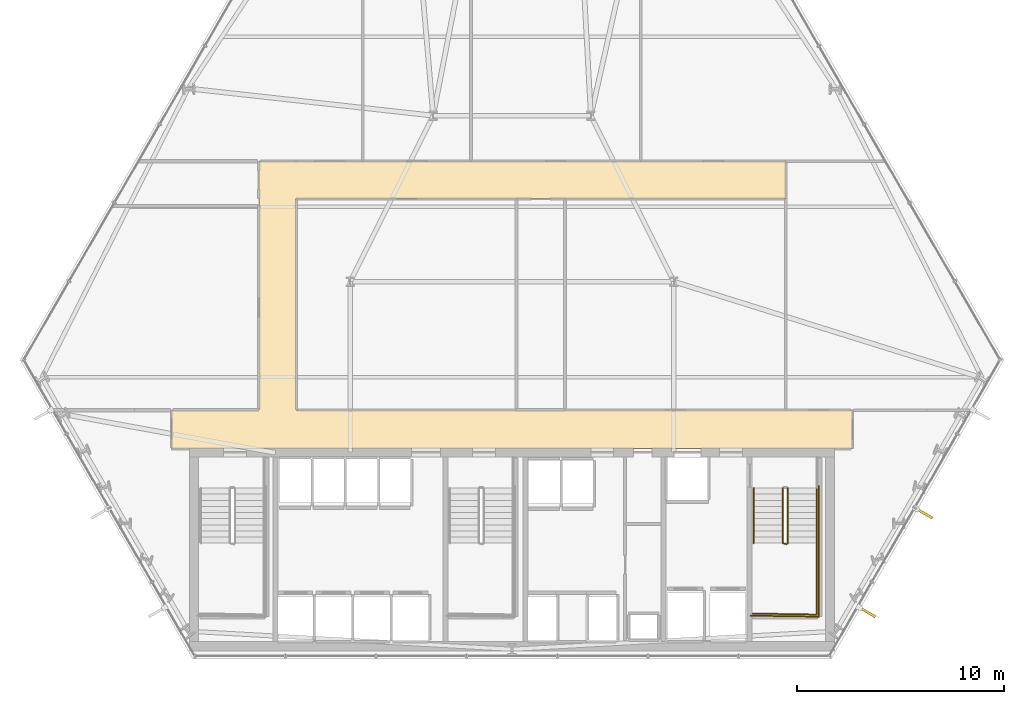
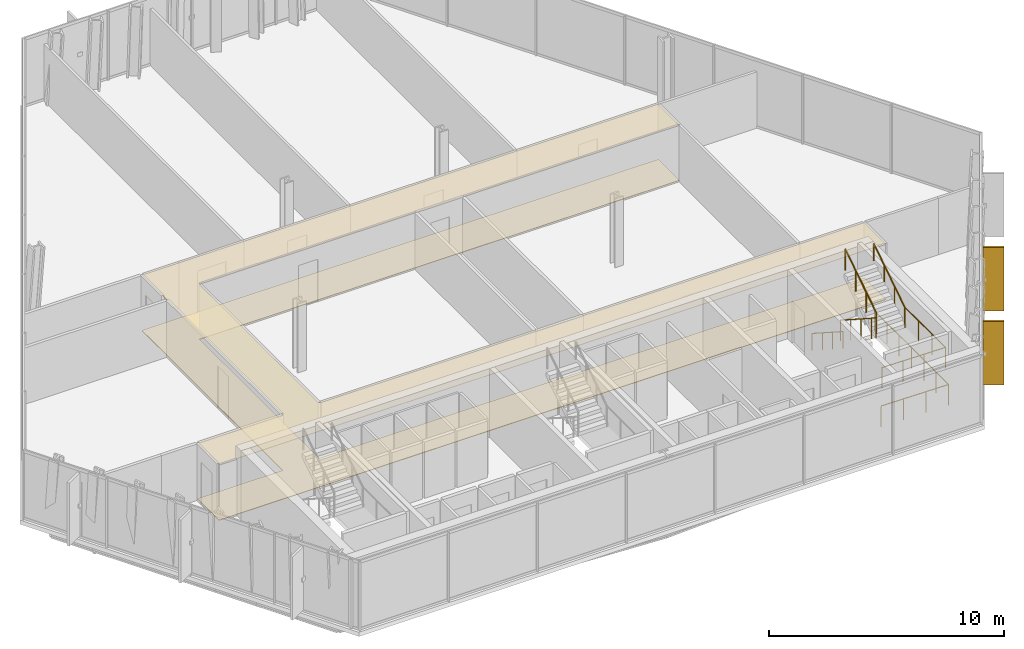
# One storey, part 31 of 33: 6 railings, 2 coverings, 2 shading devices.
"""IFC4 building model written with IfcOpenShell, lengths in metres."""

from ifc_helpers import new_model, si_unit, direction, frame, origin, origin_2d, place, context, subcontext, project, spatial, polyline, rectangle, circle, outline, extrude, material, layer, layer_set, type_object, element, save


model = new_model("IFC4")

# Units and contexts
model_context = context("Model", 3, precision=1e-05, world=origin(), true_north=direction((0.0, 1.0)))
body_context = subcontext(model_context, "Body", "Model", "MODEL_VIEW")
ifc_project = project(units=[si_unit("LENGTHUNIT", "METRE"), si_unit("AREAUNIT", "SQUARE_METRE"), si_unit("VOLUMEUNIT", "CUBIC_METRE"), si_unit("PLANEANGLEUNIT", "RADIAN"), si_unit("MASSUNIT", "GRAM", prefix="KILO")], contexts=[model_context])

# Site, building, storey
site_placement = place(None, origin())
site = spatial("IfcSite", under=ifc_project, at=site_placement, CompositionType="ELEMENT")
building_placement = place(site_placement, origin())
building = spatial("IfcBuilding", under=site, at=building_placement, Name="Ndaravel Arena Tower", CompositionType="ELEMENT")
storey_placement = place(building_placement, frame((0.0, 0.0, 43.60009765625)))
storey = spatial("IfcBuildingStorey", under=building, at=storey_placement, Name="L08", CompositionType="ELEMENT", Elevation=43.60009765625)

# Coverings
ifc_material_1 = material(Name="Acoustic Ceiling Tile", Category="finish")
ifc_layer_1 = layer(ifc_material_1, 0.02490234375)
ifc_layer_set_1 = layer_set([ifc_layer_1], Name="Acoustic Ceiling Tile")
covering_type_1 = type_object("IfcCoveringType", Name="COV-CEIL-AC600", PredefinedType="CEILING", material=ifc_layer_set_1)
covering_1_placement = place(storey_placement, frame((0.0, 0.0, 2.902587890625)))
element("IfcCovering", 1, at=covering_1_placement, inside=storey, type_object=covering_type_1, Name="L08 Corridor Acoustic Ceiling", PredefinedType="CEILING", context=body_context, shape_type="SweptSolid", body=[
    extrude(outline(polyline([(58.39990234375, 17.0), (31.60009765625, 17.0), (31.60009765625, 27.199951171875), (55.199951171875, 27.199951171875), (55.199951171875, 29.0), (31.60009765625, 29.0), (29.800048828125, 29.0), (29.800048828125, 27.199951171875), (29.800048828125, 17.0), (25.60009765625, 17.0), (25.60009765625, 15.14990234375), (58.39990234375, 15.14990234375), (58.39990234375, 17.0)])), origin(), (0.0, 0.0, 1.0), 0.025146484375),
])
ifc_material_2 = material(Name="Terrazzo", Category="stone")
ifc_layer_2 = layer(ifc_material_2, 0.030029296875)
ifc_layer_set_2 = layer_set([ifc_layer_2], Name="Terrazzo")
covering_type_2 = type_object("IfcCoveringType", Name="COV-FLOOR-TERRAZZO", PredefinedType="FLOORING", material=ifc_layer_set_2)
covering_2_placement = place(storey_placement, origin())
element("IfcCovering", 2, at=covering_2_placement, inside=storey, type_object=covering_type_2, Name="L08 Corridor Terrazzo Flooring", PredefinedType="FLOORING", context=body_context, shape_type="SweptSolid", body=[
    extrude(outline(polyline([(58.39990234375, 17.0), (31.60009765625, 17.0), (31.60009765625, 27.199951171875), (55.199951171875, 27.199951171875), (55.199951171875, 29.0), (31.60009765625, 29.0), (29.800048828125, 29.0), (29.800048828125, 27.199951171875), (29.800048828125, 17.0), (25.60009765625, 17.0), (25.60009765625, 15.14990234375), (58.39990234375, 15.14990234375), (58.39990234375, 17.0)])), origin(), (0.0, 0.0, 1.0), 0.02978515625),
])

# Railings
ifc_material_3 = material(Name="Steel S355", Category="steel")
ifc_layer_3 = layer(ifc_material_3, 0.06005859375)
ifc_layer_set_3 = layer_set([ifc_layer_3], Name="Steel S355")
railing_type_1 = type_object("IfcRailingType", Name="RAIL-STAIR-GD1100", PredefinedType="GUARDRAIL", material=ifc_layer_set_3)
railing_1_placement = place(storey_placement, frame((55.050048828125, 13.25, 0.18994140625)))
element("IfcRailing", 3, at=railing_1_placement, inside=storey, type_object=railing_type_1, Name="L08 ST-3 stair guard 1", PredefinedType="GUARDRAIL", context=body_context, shape_type="SweptSolid", body=[
    extrude(circle(Radius=0.02392578125, at=origin_2d()), frame((0.0, 0.0, 1.076171875), z_axis=(0.0, -0.840723540582, 0.54146461409), x_axis=(1.0, 0.0, 0.0)), (0.0, 0.0, 1.0), 3.157958984375),
    extrude(circle(Radius=0.02392578125, at=origin_2d()), frame((0.0, -2.655029296875, 2.7861328125), z_axis=(0.966993988697, -0.254799187253, 0.0), x_axis=(0.254799187253, 0.966993988697, 0.0)), (0.0, 0.0, 1.0), 0.196533203125),
    extrude(circle(Radius=0.02099609375, at=origin_2d()), origin(), (0.0, 0.0, 1.0), 1.052001953125),
    extrude(circle(Radius=0.02099609375, at=origin_2d()), frame((0.0, -0.885009765625, 0.570068359375)), (0.0, 0.0, 1.0), 1.052001953125),
    extrude(circle(Radius=0.02099609375, at=origin_2d()), frame((0.0, -1.77001953125, 1.139892578125)), (0.0, 0.0, 1.0), 1.052001953125),
    extrude(circle(Radius=0.02099609375, at=origin_2d()), frame((0.0, -2.655029296875, 1.7099609375)), (0.0, 0.0, 1.0), 1.052001953125),
    extrude(circle(Radius=0.02099609375, at=origin_2d()), frame((0.18994140625, -2.705078125, 1.7099609375)), (0.0, 0.0, 1.0), 1.052001953125),
])
railing_2_placement = place(storey_placement, frame((56.68994140625, 10.594970703125, 1.89990234375)))
element("IfcRailing", 4, at=railing_2_placement, inside=storey, type_object=railing_type_1, Name="L08 ST-3 stair guard 2", PredefinedType="GUARDRAIL", context=body_context, shape_type="SweptSolid", body=[
    extrude(circle(Radius=0.02392578125, at=origin_2d()), frame((0.0, 0.0, 1.076171875), z_axis=(0.0, -1.0, 0.0), x_axis=(1.0, 0.0, 0.0)), (0.0, 0.0, 1.0), 3.445068359375),
    extrude(circle(Radius=0.02392578125, at=origin_2d()), frame((0.0, -3.445068359375, 1.076171875), z_axis=(-0.999868840623, 0.016195726322, 0.0), x_axis=(-0.016195726322, -0.999868840623, 0.0)), (0.0, 0.0, 1.0), 3.09033203125),
    extrude(circle(Radius=0.02099609375, at=origin_2d()), origin(), (0.0, 0.0, 1.0), 1.052001953125),
    extrude(circle(Radius=0.02099609375, at=origin_2d()), frame((0.0, -1.1484375, 0.0)), (0.0, 0.0, 1.0), 1.052001953125),
    extrude(circle(Radius=0.02099609375, at=origin_2d()), frame((0.0, -2.296630859375, 0.0)), (0.0, 0.0, 1.0), 1.052001953125),
    extrude(circle(Radius=0.02099609375, at=origin_2d()), frame((0.0, -3.445068359375, 0.0)), (0.0, 0.0, 1.0), 1.052001953125),
    extrude(circle(Radius=0.02099609375, at=origin_2d()), frame((-1.030029296875, -3.428466796875, 0.0)), (0.0, 0.0, 1.0), 1.052001953125),
    extrude(circle(Radius=0.02099609375, at=origin_2d()), frame((-2.059814453125, -3.41162109375, 0.0)), (0.0, 0.0, 1.0), 1.052001953125),
    extrude(circle(Radius=0.02099609375, at=origin_2d()), frame((-3.08984375, -3.39501953125, 0.0)), (0.0, 0.0, 1.0), 1.052001953125),
])
railing_3_placement = place(storey_placement, frame((55.2900390625, 10.594970703125, 2.08984375)))
element("IfcRailing", 5, at=railing_3_placement, inside=storey, type_object=railing_type_1, Name="L08 ST-3 stair guard 3", PredefinedType="GUARDRAIL", context=body_context, shape_type="SweptSolid", body=[
    extrude(circle(Radius=0.02392578125, at=origin_2d()), frame((0.0, 0.0, 1.076171875), z_axis=(0.0, 0.840723540582, 0.54146461409), x_axis=(-1.0, 0.0, 0.0)), (0.0, 0.0, 1.0), 3.157958984375),
    extrude(circle(Radius=0.02099609375, at=origin_2d()), origin(), (0.0, 0.0, 1.0), 1.052001953125),
    extrude(circle(Radius=0.02099609375, at=origin_2d()), frame((0.0, 0.885009765625, 0.570068359375)), (0.0, 0.0, 1.0), 1.052001953125),
    extrude(circle(Radius=0.02099609375, at=origin_2d()), frame((0.0, 1.77001953125, 1.139892578125)), (0.0, 0.0, 1.0), 1.052001953125),
    extrude(circle(Radius=0.02099609375, at=origin_2d()), frame((0.0, 2.655029296875, 1.7099609375)), (0.0, 0.0, 1.0), 1.052001953125),
])
railing_4_placement = place(storey_placement, frame((56.7900390625, 13.35009765625, 0.0)))
element("IfcRailing", 6, at=railing_4_placement, inside=storey, type_object=railing_type_1, Name="L08 ST-3 stair guard 6", PredefinedType="GUARDRAIL", context=body_context, shape_type="SweptSolid", body=[
    extrude(circle(Radius=0.02392578125, at=origin_2d()), frame((0.0, 0.0, 1.076171875), z_axis=(0.0, -1.0, 0.0), x_axis=(1.0, 0.0, 0.0)), (0.0, 0.0, 1.0), 6.300048828125),
    extrude(circle(Radius=0.02392578125, at=origin_2d()), frame((0.0, -6.300048828125, 1.076171875), z_axis=(-0.99988431412, 0.015210469308, 0.0), x_axis=(-0.015210469308, -0.99988431412, 0.0)), (0.0, 0.0, 1.0), 3.29052734375),
    extrude(circle(Radius=0.02099609375, at=origin_2d()), origin(), (0.0, 0.0, 1.0), 1.052001953125),
    extrude(circle(Radius=0.02099609375, at=origin_2d()), frame((0.0, -1.050048828125, 0.0)), (0.0, 0.0, 1.0), 1.052001953125),
    extrude(circle(Radius=0.02099609375, at=origin_2d()), frame((0.0, -2.10009765625, 0.0)), (0.0, 0.0, 1.0), 1.052001953125),
    extrude(circle(Radius=0.02099609375, at=origin_2d()), frame((0.0, -3.14990234375, 0.0)), (0.0, 0.0, 1.0), 1.052001953125),
    extrude(circle(Radius=0.02099609375, at=origin_2d()), frame((0.0, -4.199951171875, 0.0)), (0.0, 0.0, 1.0), 1.052001953125),
    extrude(circle(Radius=0.02099609375, at=origin_2d()), frame((0.0, -5.25, 0.0)), (0.0, 0.0, 1.0), 1.052001953125),
    extrude(circle(Radius=0.02099609375, at=origin_2d()), frame((0.0, -6.300048828125, 0.0)), (0.0, 0.0, 1.0), 1.052001953125),
    extrude(circle(Radius=0.02099609375, at=origin_2d()), frame((-1.0966796875, -6.283447265625, 0.0)), (0.0, 0.0, 1.0), 1.052001953125),
    extrude(circle(Radius=0.02099609375, at=origin_2d()), frame((-2.193359375, -6.2666015625, 0.0)), (0.0, 0.0, 1.0), 1.052001953125),
    extrude(circle(Radius=0.02099609375, at=origin_2d()), frame((-3.2900390625, -6.25, 0.0)), (0.0, 0.0, 1.0), 1.052001953125),
])
ifc_material_4 = material(Name="Steel S355", Category="steel")
ifc_layer_4 = layer(ifc_material_4, 0.050048828125)
ifc_layer_set_4 = layer_set([ifc_layer_4], Name="Steel S355")
railing_type_2 = type_object("IfcRailingType", Name="RAIL-STAIR-HR920", PredefinedType="HANDRAIL", material=ifc_layer_set_4)
railing_5_placement = place(storey_placement, frame((53.64990234375, 13.25, 0.18994140625)))
element("IfcRailing", 7, at=railing_5_placement, inside=storey, type_object=railing_type_2, Name="L08 ST-3 stair handrail 1", PredefinedType="HANDRAIL", context=body_context, shape_type="SweptSolid", body=[
    extrude(circle(Radius=0.02392578125, at=origin_2d()), frame((0.0, 0.0, 0.8759765625), z_axis=(0.0, -0.840723540582, 0.54146461409), x_axis=(1.0, 0.0, 0.0)), (0.0, 0.0, 1.0), 3.157958984375),
    extrude(circle(Radius=0.02099609375, at=origin_2d()), origin(), (0.0, 0.0, 1.0), 0.851806640625),
    extrude(circle(Radius=0.02099609375, at=origin_2d()), frame((0.0, -0.885009765625, 0.570068359375)), (0.0, 0.0, 1.0), 0.851806640625),
    extrude(circle(Radius=0.02099609375, at=origin_2d()), frame((0.0, -1.77001953125, 1.139892578125)), (0.0, 0.0, 1.0), 0.851806640625),
    extrude(circle(Radius=0.02099609375, at=origin_2d()), frame((0.0, -2.655029296875, 1.7099609375)), (0.0, 0.0, 1.0), 0.851806640625),
])
railing_6_placement = place(storey_placement, frame((56.68994140625, 10.594970703125, 2.08984375)))
element("IfcRailing", 8, at=railing_6_placement, inside=storey, type_object=railing_type_2, Name="L08 ST-3 stair handrail 2", PredefinedType="HANDRAIL", context=body_context, shape_type="SweptSolid", body=[
    extrude(circle(Radius=0.02392578125, at=origin_2d()), frame((0.0, 0.0, 0.8759765625), z_axis=(0.0, 0.840723540582, 0.54146461409), x_axis=(-1.0, 0.0, 0.0)), (0.0, 0.0, 1.0), 3.157958984375),
    extrude(circle(Radius=0.02099609375, at=origin_2d()), origin(), (0.0, 0.0, 1.0), 0.851806640625),
    extrude(circle(Radius=0.02099609375, at=origin_2d()), frame((0.0, 0.885009765625, 0.570068359375)), (0.0, 0.0, 1.0), 0.851806640625),
    extrude(circle(Radius=0.02099609375, at=origin_2d()), frame((0.0, 1.77001953125, 1.139892578125)), (0.0, 0.0, 1.0), 0.851806640625),
    extrude(circle(Radius=0.02099609375, at=origin_2d()), frame((0.0, 2.655029296875, 1.7099609375)), (0.0, 0.0, 1.0), 0.851806640625),
])

# Shading devices
ifc_material_5 = material(Name="Masonry", Category="masonry")
shading_device_type = type_object("IfcShadingDeviceType", Name="SHD-MAZERAS-FIN", PredefinedType="SHUTTER", material=ifc_material_5)
for number, where, z_axis, x_axis, name in (
    (9, (59.123779296875, 7.271240234375, 0.14990234375), (0.0, 0.0, 1.0), (0.866025403784, -0.5, 0.0), "L08 Mazeras Stone Solar Fin E2.1"),
    (10, (61.8701171875, 12.028076171875, 0.14990234375), (0.0, 0.0, 1.0), (0.866025403784, -0.5, 0.0), "L08 Mazeras Stone Solar Fin E2.2"),
):
    element("IfcShadingDevice", number, at=place(storey_placement, frame(where, z_axis=z_axis, x_axis=x_axis)), inside=storey, type_object=shading_device_type, Name=name, PredefinedType="SHUTTER", context=body_context, shape_type="SweptSolid", body=[
        extrude(rectangle(XDim=0.89990234375, YDim=0.1201171875, at=origin_2d()), origin(), (0.0, 0.0, 1.0), 3.280029296875),
    ])

save(model, "model.ifc")
